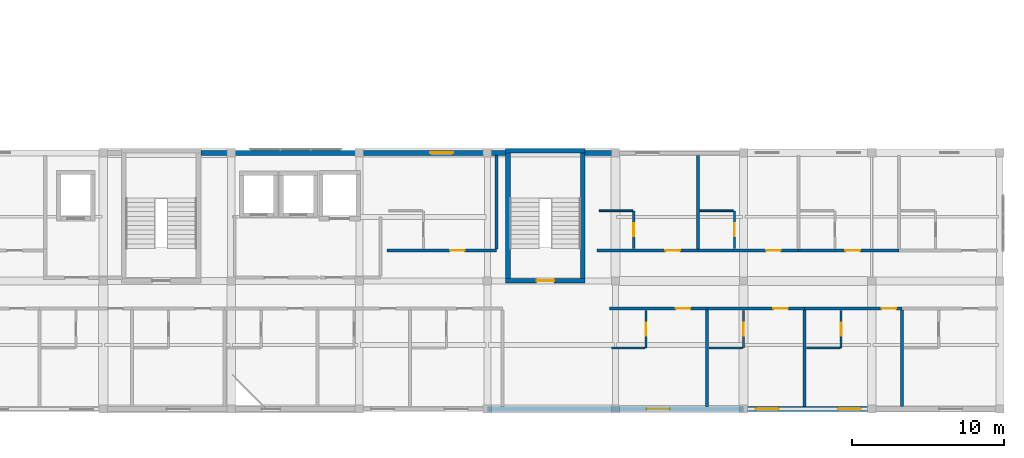
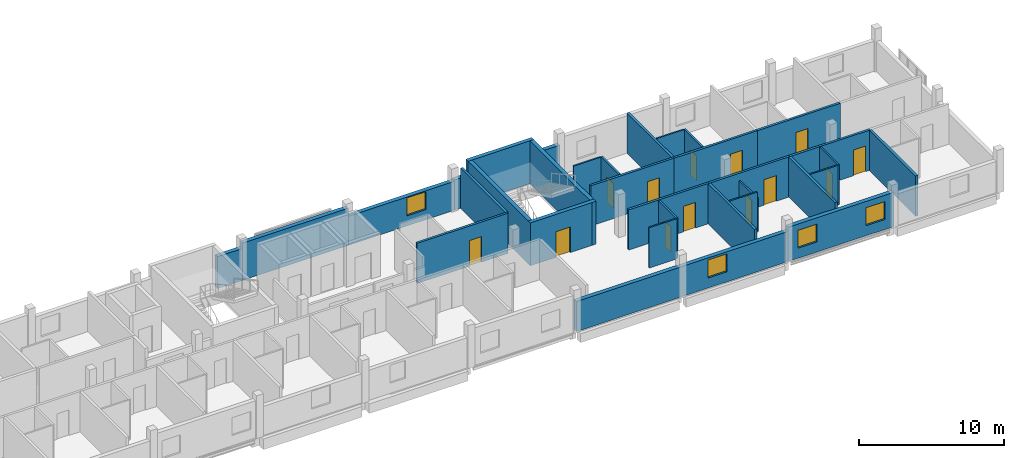
# One storey, part 16 of 20: 33 walls, 13 doors, 4 windows, 17 openings.
"""IFC4 building model written with IfcOpenShell, lengths in metres."""

import ifcopenshell
import ifcopenshell.guid

model = None  # the IFC model being written
_history = None  # IfcOwnerHistory: only IFC2X3 demands one
_inside = {}  # id of a spatial element -> (the spatial element, [elements in it])
_under = {}  # id of a project, library or spatial element -> (it, [spatial elements below it])
_declared = {}  # id of a project -> (the project, [libraries it declares])
_typed = {}  # id of a type object -> (the type object, [elements of that type])
_made_of = {}  # id of a material, layer set ... -> (it, [elements and type objects made of it])


def new_model(schema):
    """Start an empty IFC model of exactly this schema.

    Asked for "IFC4X3", IfcOpenShell would pick the latest addendum, in which some entities
    have other attributes; the version numbers below select the first issue.
    IFC2X3 requires an IfcOwnerHistory on every rooted entity: one is made here for all.
    """
    global model, _history
    if schema == "IFC4X3":
        model = ifcopenshell.file(schema_version=(4, 3, 0, 0))
    else:
        model = ifcopenshell.file(schema=schema)
    _inside.clear()
    _under.clear()
    _declared.clear()
    _typed.clear()
    _made_of.clear()
    _history = None
    if model.schema == "IFC2X3":
        org = make("IfcOrganization", Name="unknown")
        user = make(
            "IfcPersonAndOrganization",
            ThePerson=make("IfcPerson", FamilyName="unknown"),
            TheOrganization=org,
        )
        app = make(
            "IfcApplication",
            ApplicationDeveloper=org,
            Version="unknown",
            ApplicationFullName="unknown",
            ApplicationIdentifier="unknown",
        )
        _history = make(
            "IfcOwnerHistory",
            OwningUser=user,
            OwningApplication=app,
            ChangeAction="ADDED",
            CreationDate=0,
        )
    return model


def make(cls, **values):
    """One entity of the class cls with the attributes given. An attribute that is None is left unset."""
    return model.create_entity(
        cls, **{name: value for name, value in values.items() if value is not None}
    )


def rooted(cls, **values):
    """An entity with a GlobalId (a new one), such as an element, a storey or a relation."""
    return make(cls, GlobalId=ifcopenshell.guid.new(), OwnerHistory=_history, **values)


def si_unit(unit_type, name, prefix=None):
    """IfcSIUnit, for example si_unit("LENGTHUNIT", "METRE", prefix="MILLI")."""
    return make("IfcSIUnit", UnitType=unit_type, Prefix=prefix, Name=name)


def derived_unit(unit_type, elements):
    """IfcDerivedUnit: a product of units, each with its exponent."""
    return make(
        "IfcDerivedUnit",
        Elements=[
            make("IfcDerivedUnitElement", Unit=unit, Exponent=power)
            for unit, power in elements
        ],
        UnitType=unit_type,
    )


def assignment(units):
    """IfcUnitAssignment: the units of a project."""
    return None if units is None else make("IfcUnitAssignment", Units=units)


def point(xyz):
    """IfcCartesianPoint."""
    return None if xyz is None else make("IfcCartesianPoint", Coordinates=xyz)


def direction(xyz):
    """IfcDirection."""
    return None if xyz is None else make("IfcDirection", DirectionRatios=xyz)


def frame(location, z_axis=None, x_axis=None):
    """IfcAxis2Placement3D, a coordinate frame: its origin and axes. An axis left out is left unset."""
    return make(
        "IfcAxis2Placement3D",
        Location=point(location),
        Axis=direction(z_axis),
        RefDirection=direction(x_axis),
    )


def frame_2d(location, x_axis=None):
    """IfcAxis2Placement2D, a coordinate frame in the plane: its origin and x axis."""
    return make(
        "IfcAxis2Placement2D", Location=point(location), RefDirection=direction(x_axis)
    )


def origin():
    """The frame at (0, 0, 0) with its axes left unset."""
    return frame((0.0, 0.0, 0.0))


def place(relative_to, where):
    """IfcLocalPlacement: puts the frame where relative to a parent placement (None: the world)."""
    return make(
        "IfcLocalPlacement", PlacementRelTo=relative_to, RelativePlacement=where
    )


def context(
    kind, dimensions, precision=None, world=None, true_north=None, identifier=None
):
    """IfcGeometricRepresentationContext, for example the 3D "Model" context."""
    return make(
        "IfcGeometricRepresentationContext",
        ContextIdentifier=identifier,
        ContextType=kind,
        CoordinateSpaceDimension=dimensions,
        Precision=precision,
        WorldCoordinateSystem=world,
        TrueNorth=true_north,
    )


def subcontext(parent, identifier, kind, view, scale=None):
    """IfcGeometricRepresentationSubContext, for example "Body" below "Model"."""
    return make(
        "IfcGeometricRepresentationSubContext",
        ContextIdentifier=identifier,
        ContextType=kind,
        ParentContext=parent,
        TargetScale=scale,
        TargetView=view,
    )


def project(units=None, contexts=None):
    """IfcProject with its units and contexts."""
    return rooted(
        "IfcProject",
        Name="project",
        RepresentationContexts=contexts,
        UnitsInContext=assignment(units),
    )


def spatial(cls, under=None, at=None, **own):
    """A site, building, storey or space (cls), placed at a placement, below another one or the project."""
    s = rooted(cls, ObjectPlacement=at, **own)
    if under is not None:
        _under.setdefault(under.id(), (under, []))[1].append(s)
    return s


def profile(cls, at=None, kind="AREA", **sizes):
    """A parametric profile (cls). Its sizes go by their IFC names, for example OverallWidth=200.0."""
    return make(cls, ProfileType=kind, Position=at, **sizes)


def rectangle(**sizes):
    """IfcRectangleProfileDef."""
    return profile("IfcRectangleProfileDef", **sizes)


def extrude(swept, where, along, depth):
    """IfcExtrudedAreaSolid: the profile swept, set in the frame where, extruded along a direction by depth."""
    return make(
        "IfcExtrudedAreaSolid",
        SweptArea=swept,
        Position=where,
        ExtrudedDirection=direction(along),
        Depth=depth,
    )


def shape(context_of_items, identifier, shape_type, items):
    """IfcShapeRepresentation: the items that make up one representation, for example the "Body"."""
    return make(
        "IfcShapeRepresentation",
        ContextOfItems=context_of_items,
        RepresentationIdentifier=identifier,
        RepresentationType=shape_type,
        Items=items,
    )


def material(Name=None, Category=None):
    """IfcMaterial."""
    return make("IfcMaterial", Name=Name, Category=Category)


def layer(
    of_material, thickness, ventilated=None, Name=None, Category=None, Priority=None
):
    """IfcMaterialLayer: one layer of a wall or slab, of a material (None: an air gap)."""
    return make(
        "IfcMaterialLayer",
        Material=of_material,
        LayerThickness=thickness,
        IsVentilated=ventilated,
        Name=Name,
        Category=Category,
        Priority=Priority,
    )


def layer_set(layers, Name=None):
    """IfcMaterialLayerSet."""
    return make("IfcMaterialLayerSet", MaterialLayers=layers, LayerSetName=Name)


def made_of(thing, what):
    """Note that an element or type object is made of a material, layer set ...; save() writes the relation."""
    if what is not None:
        _made_of.setdefault(what.id(), (what, []))[1].append(thing)
    return thing


def type_object(cls, material=None, **own):
    """A type object (cls), such as IfcWallType, which elements share."""
    return made_of(rooted(cls, **own), material)


def element(
    cls,
    number,
    at=None,
    inside=None,
    cuts=None,
    type_object=None,
    material=None,
    context=None,
    identifier="Body",
    shape_type=None,
    held_by="IfcProductDefinitionShape",
    body=None,
    shapes=None,
    **own,
):
    """One element of the class cls, such as IfcWall. Its Tag is "e" and its number.

    at: its placement. inside: the storey or other place that contains it. cuts: it is an
    opening in that element (IfcRelVoidsElement). A single representation is given by context,
    identifier, shape_type and body (its items); several are given by shapes. held_by: the class
    of the entity that holds the representations. save() writes the other relations.
    """
    e = rooted(cls, Tag="e%d" % number, ObjectPlacement=at, **own)
    if body is not None:
        shapes = [shape(context, identifier, shape_type, body)]
    if shapes is not None:
        e.Representation = make(held_by, Representations=shapes)
    if inside is not None:
        _inside.setdefault(inside.id(), (inside, []))[1].append(e)
    if cuts is not None:
        rooted(
            "IfcRelVoidsElement", RelatingBuildingElement=cuts, RelatedOpeningElement=e
        )
    if type_object is not None:
        _typed.setdefault(type_object.id(), (type_object, []))[1].append(e)
    return made_of(e, material)


def fill(opening, filler):
    """IfcRelFillsElement: the door or window that sits in an opening."""
    return rooted(
        "IfcRelFillsElement",
        RelatingOpeningElement=opening,
        RelatedBuildingElement=filler,
    )


def aggregate(whole, parts):
    """IfcRelAggregates: a whole, such as a stair, and the parts it consists of."""
    return rooted("IfcRelAggregates", RelatingObject=whole, RelatedObjects=parts)


def save(model, path):
    """Write the relations noted so far, then the file.

    IfcRelAggregates (storeys below a building ...), IfcRelContainedInSpatialStructure (elements
    in a storey), IfcRelDefinesByType, IfcRelAssociatesMaterial and IfcRelDeclares: one each for
    every whole, place, type object, material and project.
    """
    for whole, parts in _under.values():
        aggregate(whole, parts)
    for where, things in _inside.values():
        rooted(
            "IfcRelContainedInSpatialStructure",
            RelatedElements=things,
            RelatingStructure=where,
        )
    for kind, things in _typed.values():
        rooted("IfcRelDefinesByType", RelatedObjects=things, RelatingType=kind)
    for what, things in _made_of.values():
        rooted("IfcRelAssociatesMaterial", RelatedObjects=things, RelatingMaterial=what)
    for by, libraries in _declared.values():
        rooted("IfcRelDeclares", RelatingContext=by, RelatedDefinitions=libraries)
    model.write(path)


model = new_model("IFC4")

# Units and contexts
model_context = context("Model", 3, precision=1e-05, world=origin(), true_north=direction((0.0, 1.0)))
body_context = subcontext(model_context, "Body", "Model", "MODEL_VIEW")
ifc_project = project(units=[si_unit("LENGTHUNIT", "METRE"), si_unit("AREAUNIT", "SQUARE_METRE"), si_unit("VOLUMEUNIT", "CUBIC_METRE"), si_unit("PLANEANGLEUNIT", "RADIAN"), si_unit("MASSUNIT", "GRAM", prefix="KILO"), derived_unit("THERMALTRANSMITTANCEUNIT", [(si_unit("POWERUNIT", "WATT"), 1), (si_unit("LENGTHUNIT", "METRE"), -2), (si_unit("THERMODYNAMICTEMPERATUREUNIT", "KELVIN"), -1)])], contexts=[model_context])

# Site, building, storey
site_placement = place(None, origin())
site = spatial("IfcSite", under=ifc_project, at=site_placement, CompositionType="ELEMENT")
building_placement = place(site_placement, origin())
building = spatial("IfcBuilding", under=site, at=building_placement, Name="Barrovel Congress Hotel", CompositionType="ELEMENT")
storey_placement = place(building_placement, frame((0.0, 0.0, 36.300048828125)))
storey = spatial("IfcBuildingStorey", under=building, at=storey_placement, Name="L09", CompositionType="ELEMENT", Elevation=36.300048828125)

# Wall, opening, window
ifc_material_1 = material(Name="Fired Clay Brick Masonry", Category="masonry")
ifc_layer_1 = layer(ifc_material_1, 0.320068359375)
ifc_layer_set_1 = layer_set([ifc_layer_1], Name="Fired Clay Brick Masonry")
wall_type_1 = type_object("IfcWallType", Name="EW-BRK320", PredefinedType="STANDARD", material=ifc_layer_set_1)
wall_1_placement = place(storey_placement, frame((100.800048828125, 4.199951171875, 0.0), z_axis=(0.0, 0.0, 1.0), x_axis=(1.0, 0.0, 0.0)))
wall_1 = element("IfcWall", 1, at=wall_1_placement, inside=storey, type_object=wall_type_1, Name="EW:L09:HS-S", PredefinedType="STANDARD", context=body_context, shape_type="SweptSolid", body=[
    extrude(rectangle(XDim=16.800048828125, YDim=0.320068359375, at=frame_2d((8.39990234375, 0.0))), origin(), (0.0, 0.0, 1.0), 2.530029296875),
])
opening_1_placement = place(wall_1_placement, frame((10.449951171875, 0.0, 0.85009765625)))
opening_1 = element("IfcOpeningElement", 2, at=opening_1_placement, cuts=wall_1, Name="Opening WN-07", PredefinedType="OPENING", context=body_context, shape_type="SweptSolid", body=[
    extrude(rectangle(XDim=1.5, YDim=1.5, at=frame_2d((0.75, 0.75))), frame((0.0, 0.169921875, 0.0), z_axis=(0.0, -1.0, 0.0), x_axis=(1.0, 0.0, 0.0)), (0.0, 0.0, 1.0), 0.340087890625),
])
ifc_material_2 = material(Name="Double Low-E Insulated Glazing", Category="glass")
window_type = type_object("IfcWindowType", Name="WIN-WN-07", PartitioningType="SINGLE_PANEL", PredefinedType="WINDOW", material=ifc_material_2)
window_1_placement = place(opening_1_placement, origin())
window_1 = element("IfcWindow", 3, at=window_1_placement, inside=storey, type_object=window_type, Name="WIN:L09:U15", OverallHeight=1.5, OverallWidth=1.5, PartitioningType="SINGLE_PANEL", PredefinedType="WINDOW", context=body_context, shape_type="SweptSolid", body=[
    extrude(rectangle(XDim=1.5, YDim=1.5, at=frame_2d((0.75, 0.75))), frame((0.0, 0.030029296875, 0.0), z_axis=(0.0, -1.0, 0.0), x_axis=(1.0, 0.0, 0.0)), (0.0, 0.0, 1.0), 0.06005859375),
])
fill(opening_1, window_1)

# Wall
wall_2_placement = place(storey_placement, frame((92.39990234375, 21.0, 0.0), z_axis=(0.0, 0.0, 1.0), x_axis=(-1.0, 0.0, 0.0)))
element("IfcWall", 4, at=wall_2_placement, inside=storey, type_object=wall_type_1, Name="EW:L09:HS-NE-2", PredefinedType="STANDARD", context=body_context, shape_type="SweptSolid", body=[
    extrude(rectangle(XDim=8.39990234375, YDim=0.320068359375, at=frame_2d((4.199951171875, 0.0))), origin(), (0.0, 0.0, 1.0), 3.1259765625),
])

# Wall, openings, windows
wall_3_placement = place(storey_placement, frame((117.60009765625, 4.199951171875, 0.0), z_axis=(0.0, 0.0, 1.0), x_axis=(1.0, 0.0, 0.0)))
wall_3 = element("IfcWall", 5, at=wall_3_placement, inside=storey, type_object=wall_type_1, Name="EW:L09:HS-S:P10", PredefinedType="STANDARD", context=body_context, shape_type="SweptSolid", body=[
    extrude(rectangle(XDim=8.39990234375, YDim=0.320068359375, at=frame_2d((4.199951171875, 0.0))), origin(), (0.0, 0.0, 1.0), 2.8798828125),
])
opening_2_placement = place(wall_3_placement, frame((0.800048828125, 0.0, 0.85009765625)))
opening_2 = element("IfcOpeningElement", 6, at=opening_2_placement, cuts=wall_3, Name="Opening WN-07", PredefinedType="OPENING", context=body_context, shape_type="SweptSolid", body=[
    extrude(rectangle(XDim=1.5, YDim=1.5, at=frame_2d((0.75, 0.75))), frame((0.0, 0.169921875, 0.0), z_axis=(0.0, -1.0, 0.0), x_axis=(1.0, 0.0, 0.0)), (0.0, 0.0, 1.0), 0.340087890625),
])
opening_3_placement = place(wall_3_placement, frame((6.199951171875, 0.0, 0.85009765625)))
opening_3 = element("IfcOpeningElement", 7, at=opening_3_placement, cuts=wall_3, Name="Opening WN-07", PredefinedType="OPENING", context=body_context, shape_type="SweptSolid", body=[
    extrude(rectangle(XDim=1.5, YDim=1.5, at=frame_2d((0.75, 0.75))), frame((0.0, 0.169921875, 0.0), z_axis=(0.0, -1.0, 0.0), x_axis=(1.0, 0.0, 0.0)), (0.0, 0.0, 1.0), 0.340087890625),
])
window_2_placement = place(opening_2_placement, origin())
window_2 = element("IfcWindow", 8, at=window_2_placement, inside=storey, type_object=window_type, Name="WIN:L09:U16", OverallHeight=1.5, OverallWidth=1.5, PartitioningType="SINGLE_PANEL", PredefinedType="WINDOW", context=body_context, shape_type="SweptSolid", body=[
    extrude(rectangle(XDim=1.5, YDim=1.5, at=frame_2d((0.75, 0.75))), frame((0.0, 0.030029296875, 0.0), z_axis=(0.0, -1.0, 0.0), x_axis=(1.0, 0.0, 0.0)), (0.0, 0.0, 1.0), 0.06005859375),
])
fill(opening_2, window_2)
window_3_placement = place(opening_3_placement, origin())
window_3 = element("IfcWindow", 9, at=window_3_placement, inside=storey, type_object=window_type, Name="WIN:L09:U17", OverallHeight=1.5, OverallWidth=1.5, PartitioningType="SINGLE_PANEL", PredefinedType="WINDOW", context=body_context, shape_type="SweptSolid", body=[
    extrude(rectangle(XDim=1.5, YDim=1.5, at=frame_2d((0.75, 0.75))), frame((0.0, 0.030029296875, 0.0), z_axis=(0.0, -1.0, 0.0), x_axis=(1.0, 0.0, 0.0)), (0.0, 0.0, 1.0), 0.06005859375),
])
fill(opening_3, window_3)

# Walls
wall_4_placement = place(storey_placement, frame((109.199951171875, 21.0, 0.0), z_axis=(0.0, 0.0, 1.0), x_axis=(-1.0, 0.0, 0.0)))
element("IfcWall", 10, at=wall_4_placement, inside=storey, type_object=wall_type_1, Name="EW:L09:HS-NE-1:P03", PredefinedType="STANDARD", context=body_context, shape_type="SweptSolid", body=[
    extrude(rectangle(XDim=2.0, YDim=0.320068359375, at=frame_2d((1.0, 0.0))), origin(), (0.0, 0.0, 1.0), 2.530029296875),
])
wall_5_placement = place(storey_placement, frame((102.0, 21.0, 0.0), z_axis=(0.0, 0.0, 1.0), x_axis=(-1.0, 0.0, 0.0)))
element("IfcWall", 11, at=wall_5_placement, inside=storey, type_object=wall_type_1, Name="EW:L09:HS-NE-2:P01", PredefinedType="STANDARD", context=body_context, shape_type="SweptSolid", body=[
    extrude(rectangle(XDim=1.199951171875, YDim=0.320068359375, at=frame_2d((0.60009765625, 0.0))), origin(), (0.0, 0.0, 1.0), 2.530029296875),
])

# Wall, opening, window
wall_6_placement = place(storey_placement, frame((100.800048828125, 21.0, 0.0), z_axis=(0.0, 0.0, 1.0), x_axis=(-1.0, 0.0, 0.0)))
wall_6 = element("IfcWall", 12, at=wall_6_placement, inside=storey, type_object=wall_type_1, Name="EW:L09:HS-NE-2:P02", PredefinedType="STANDARD", context=body_context, shape_type="SweptSolid", body=[
    extrude(rectangle(XDim=8.400146484375, YDim=0.320068359375, at=frame_2d((4.2001953125, 0.0))), origin(), (0.0, 0.0, 1.0), 2.429931640625),
])
opening_4_placement = place(wall_6_placement, frame((2.25, 0.0, 0.85009765625)))
opening_4 = element("IfcOpeningElement", 13, at=opening_4_placement, cuts=wall_6, Name="Opening WN-07", PredefinedType="OPENING", context=body_context, shape_type="SweptSolid", body=[
    extrude(rectangle(XDim=1.5, YDim=1.5, at=frame_2d((0.75, 0.75))), frame((0.0, 0.169921875, 0.0), z_axis=(0.0, -1.0, 0.0), x_axis=(1.0, 0.0, 0.0)), (0.0, 0.0, 1.0), 0.340087890625),
])
window_4_placement = place(opening_4_placement, origin())
window_4 = element("IfcWindow", 14, at=window_4_placement, inside=storey, type_object=window_type, Name="WIN:L09:U20", OverallHeight=1.5, OverallWidth=1.5, PartitioningType="SINGLE_PANEL", PredefinedType="WINDOW", context=body_context, shape_type="SweptSolid", body=[
    extrude(rectangle(XDim=1.5, YDim=1.5, at=frame_2d((0.75, 0.75))), frame((0.0, 0.030029296875, 0.0), z_axis=(0.0, -1.0, 0.0), x_axis=(1.0, 0.0, 0.0)), (0.0, 0.0, 1.0), 0.06005859375),
])
fill(opening_4, window_4)

# Wall
wall_7_placement = place(storey_placement, frame((84.0, 21.0, 0.0), z_axis=(0.0, 0.0, 1.0), x_axis=(-1.0, 0.0, 0.0)))
element("IfcWall", 15, at=wall_7_placement, inside=storey, type_object=wall_type_1, Name="EW:L09:HS-NE-2:P04", PredefinedType="STANDARD", context=body_context, shape_type="SweptSolid", body=[
    extrude(rectangle(XDim=2.0, YDim=0.320068359375, at=frame_2d((1.0, 0.0))), origin(), (0.0, 0.0, 1.0), 2.679931640625),
])

# Wall, opening, door
ifc_material_3 = material(Name="Gypsum Acoustic Stud", Category="gypsum")
ifc_layer_2 = layer(ifc_material_3, 0.179931640625)
ifc_layer_set_2 = layer_set([ifc_layer_2], Name="Gypsum Acoustic Stud")
wall_type_2 = type_object("IfcWallType", Name="PW-ACU-180", PredefinedType="PARTITIONING", material=ifc_layer_set_2)
wall_8_placement = place(storey_placement, frame((108.800048828125, 10.800048828125, 0.0), z_axis=(0.0, 0.0, 1.0), x_axis=(1.0, 0.0, 0.0)))
wall_8 = element("IfcWall", 16, at=wall_8_placement, inside=storey, type_object=wall_type_2, Name="PW:L09:U15:COR", PredefinedType="PARTITIONING", context=body_context, shape_type="SweptSolid", body=[
    extrude(rectangle(XDim=6.39990234375, YDim=0.179931640625, at=frame_2d((3.199951171875, 0.0))), origin(), (0.0, 0.0, 1.0), 3.375),
])
opening_5_placement = place(wall_8_placement, frame((4.35498046875, 0.0, 0.0)))
opening_5 = element("IfcOpeningElement", 17, at=opening_5_placement, cuts=wall_8, Name="Opening ID-HTL", PredefinedType="OPENING", context=body_context, shape_type="SweptSolid", body=[
    extrude(rectangle(XDim=0.9599609375, YDim=2.14990234375, at=frame_2d((0.47998046875, 1.074951171875))), frame((0.0, 0.10009765625, 0.0), z_axis=(0.0, -1.0, 0.0), x_axis=(1.0, 0.0, 0.0)), (0.0, 0.0, 1.0), 0.199951171875),
])
ifc_material_4 = material(Name="Solid Oak Acoustic Timber Door", Category="wood")
door_type_1 = type_object("IfcDoorType", Name="IDR-ID-HTL", OperationType="NOTDEFINED", PredefinedType="DOOR", material=ifc_material_4)
door_1_placement = place(opening_5_placement, origin())
door_1 = element("IfcDoor", 18, at=door_1_placement, inside=storey, type_object=door_type_1, Name="DR:L09:U15:ENT", OperationType="SINGLE_SWING_RIGHT", OverallHeight=2.14990234375, OverallWidth=0.9599609375, PredefinedType="DOOR", context=body_context, shape_type="SweptSolid", body=[
    extrude(rectangle(XDim=0.9599609375, YDim=2.14990234375, at=frame_2d((0.47998046875, 1.074951171875))), frame((0.0, 0.02490234375, 0.0), z_axis=(0.0, -1.0, 0.0), x_axis=(1.0, 0.0, 0.0)), (0.0, 0.0, 1.0), 0.050048828125),
])
fill(opening_5, door_1)

wall_9_placement = place(storey_placement, frame((115.199951171875, 10.800048828125, 0.0), z_axis=(0.0, 0.0, 1.0), x_axis=(1.0, 0.0, 0.0)))
wall_9 = element("IfcWall", 19, at=wall_9_placement, inside=storey, type_object=wall_type_2, Name="PW:L09:U16:COR", PredefinedType="PARTITIONING", context=body_context, shape_type="SweptSolid", body=[
    extrude(rectangle(XDim=6.400146484375, YDim=0.179931640625, at=frame_2d((3.2001953125, 0.0))), origin(), (0.0, 0.0, 1.0), 3.375),
])
opening_6_placement = place(wall_9_placement, frame((4.35498046875, 0.0, 0.0)))
opening_6 = element("IfcOpeningElement", 20, at=opening_6_placement, cuts=wall_9, Name="Opening ID-HTL", PredefinedType="OPENING", context=body_context, shape_type="SweptSolid", body=[
    extrude(rectangle(XDim=0.9599609375, YDim=2.14990234375, at=frame_2d((0.47998046875, 1.074951171875))), frame((0.0, 0.10009765625, 0.0), z_axis=(0.0, -1.0, 0.0), x_axis=(1.0, 0.0, 0.0)), (0.0, 0.0, 1.0), 0.199951171875),
])
door_2_placement = place(opening_6_placement, origin())
door_2 = element("IfcDoor", 21, at=door_2_placement, inside=storey, type_object=door_type_1, Name="DR:L09:U16:ENT", OperationType="SINGLE_SWING_RIGHT", OverallHeight=2.14990234375, OverallWidth=0.9599609375, PredefinedType="DOOR", context=body_context, shape_type="SweptSolid", body=[
    extrude(rectangle(XDim=0.9599609375, YDim=2.14990234375, at=frame_2d((0.47998046875, 1.074951171875))), frame((0.0, 0.02490234375, 0.0), z_axis=(0.0, -1.0, 0.0), x_axis=(1.0, 0.0, 0.0)), (0.0, 0.0, 1.0), 0.050048828125),
])
fill(opening_6, door_2)

wall_10_placement = place(storey_placement, frame((121.60009765625, 10.800048828125, 0.0), z_axis=(0.0, 0.0, 1.0), x_axis=(1.0, 0.0, 0.0)))
wall_10 = element("IfcWall", 22, at=wall_10_placement, inside=storey, type_object=wall_type_2, Name="PW:L09:U17:COR", PredefinedType="PARTITIONING", context=body_context, shape_type="SweptSolid", body=[
    extrude(rectangle(XDim=6.39990234375, YDim=0.179931640625, at=frame_2d((3.199951171875, 0.0))), origin(), (0.0, 0.0, 1.0), 3.375),
])
opening_7_placement = place(wall_10_placement, frame((5.054931640625, 0.0, 0.0)))
opening_7 = element("IfcOpeningElement", 23, at=opening_7_placement, cuts=wall_10, Name="Opening ID-HTL", PredefinedType="OPENING", context=body_context, shape_type="SweptSolid", body=[
    extrude(rectangle(XDim=0.9599609375, YDim=2.14990234375, at=frame_2d((0.47998046875, 1.074951171875))), frame((0.0, 0.10009765625, 0.0), z_axis=(0.0, -1.0, 0.0), x_axis=(1.0, 0.0, 0.0)), (0.0, 0.0, 1.0), 0.199951171875),
])
door_3_placement = place(opening_7_placement, origin())
door_3 = element("IfcDoor", 24, at=door_3_placement, inside=storey, type_object=door_type_1, Name="DR:L09:U17:ENT", OperationType="SINGLE_SWING_RIGHT", OverallHeight=2.14990234375, OverallWidth=0.9599609375, PredefinedType="DOOR", context=body_context, shape_type="SweptSolid", body=[
    extrude(rectangle(XDim=0.9599609375, YDim=2.14990234375, at=frame_2d((0.47998046875, 1.074951171875))), frame((0.0, 0.02490234375, 0.0), z_axis=(0.0, -1.0, 0.0), x_axis=(1.0, 0.0, 0.0)), (0.0, 0.0, 1.0), 0.050048828125),
])
fill(opening_7, door_3)

wall_11_placement = place(storey_placement, frame((94.199951171875, 14.60009765625, 0.0), z_axis=(0.0, 0.0, 1.0), x_axis=(1.0, 0.0, 0.0)))
wall_11 = element("IfcWall", 25, at=wall_11_placement, inside=storey, type_object=wall_type_2, Name="PW:L09:U20:COR", PredefinedType="PARTITIONING", context=body_context, shape_type="SweptSolid", body=[
    extrude(rectangle(XDim=7.199951171875, YDim=0.179931640625, at=frame_2d((3.60009765625, 0.0))), origin(), (0.0, 0.0, 1.0), 3.375),
])
opening_8_placement = place(wall_11_placement, frame((4.15087890625, 0.0, 0.0)))
opening_8 = element("IfcOpeningElement", 26, at=opening_8_placement, cuts=wall_11, Name="Opening ID-HTL", PredefinedType="OPENING", context=body_context, shape_type="SweptSolid", body=[
    extrude(rectangle(XDim=0.9599609375, YDim=2.14990234375, at=frame_2d((0.47998046875, 1.074951171875))), frame((0.0, 0.10009765625, 0.0), z_axis=(0.0, -1.0, 0.0), x_axis=(1.0, 0.0, 0.0)), (0.0, 0.0, 1.0), 0.199951171875),
])
door_4_placement = place(opening_8_placement, origin())
door_4 = element("IfcDoor", 27, at=door_4_placement, inside=storey, type_object=door_type_1, Name="DR:L09:U20:ENT", OperationType="SINGLE_SWING_RIGHT", OverallHeight=2.14990234375, OverallWidth=0.9599609375, PredefinedType="DOOR", context=body_context, shape_type="SweptSolid", body=[
    extrude(rectangle(XDim=0.9599609375, YDim=2.14990234375, at=frame_2d((0.47998046875, 1.074951171875))), frame((0.0, 0.02490234375, 0.0), z_axis=(0.0, -1.0, 0.0), x_axis=(1.0, 0.0, 0.0)), (0.0, 0.0, 1.0), 0.050048828125),
])
fill(opening_8, door_4)

wall_12_placement = place(storey_placement, frame((108.0, 14.60009765625, 0.0), z_axis=(0.0, 0.0, 1.0), x_axis=(1.0, 0.0, 0.0)))
wall_12 = element("IfcWall", 28, at=wall_12_placement, inside=storey, type_object=wall_type_2, Name="PW:L09:U21:COR", PredefinedType="PARTITIONING", context=body_context, shape_type="SweptSolid", body=[
    extrude(rectangle(XDim=6.60009765625, YDim=0.179931640625, at=frame_2d((3.300048828125, 0.0))), origin(), (0.0, 0.0, 1.0), 3.375),
])
opening_9_placement = place(wall_12_placement, frame((4.47900390625, 0.0, 0.0)))
opening_9 = element("IfcOpeningElement", 29, at=opening_9_placement, cuts=wall_12, Name="Opening ID-HTL", PredefinedType="OPENING", context=body_context, shape_type="SweptSolid", body=[
    extrude(rectangle(XDim=0.9599609375, YDim=2.14990234375, at=frame_2d((0.47998046875, 1.074951171875))), frame((0.0, 0.10009765625, 0.0), z_axis=(0.0, -1.0, 0.0), x_axis=(1.0, 0.0, 0.0)), (0.0, 0.0, 1.0), 0.199951171875),
])
door_5_placement = place(opening_9_placement, origin())
door_5 = element("IfcDoor", 30, at=door_5_placement, inside=storey, type_object=door_type_1, Name="DR:L09:U21:ENT", OperationType="SINGLE_SWING_RIGHT", OverallHeight=2.14990234375, OverallWidth=0.9599609375, PredefinedType="DOOR", context=body_context, shape_type="SweptSolid", body=[
    extrude(rectangle(XDim=0.9599609375, YDim=2.14990234375, at=frame_2d((0.47998046875, 1.074951171875))), frame((0.0, 0.02490234375, 0.0), z_axis=(0.0, -1.0, 0.0), x_axis=(1.0, 0.0, 0.0)), (0.0, 0.0, 1.0), 0.050048828125),
])
fill(opening_9, door_5)

wall_13_placement = place(storey_placement, frame((114.60009765625, 14.60009765625, 0.0), z_axis=(0.0, 0.0, 1.0), x_axis=(1.0, 0.0, 0.0)))
wall_13 = element("IfcWall", 31, at=wall_13_placement, inside=storey, type_object=wall_type_2, Name="PW:L09:U22:COR", PredefinedType="PARTITIONING", context=body_context, shape_type="SweptSolid", body=[
    extrude(rectangle(XDim=6.599853515625, YDim=0.179931640625, at=frame_2d((3.2998046875, 0.0))), origin(), (0.0, 0.0, 1.0), 3.375),
])
opening_10_placement = place(wall_13_placement, frame((4.47900390625, 0.0, 0.0)))
opening_10 = element("IfcOpeningElement", 32, at=opening_10_placement, cuts=wall_13, Name="Opening ID-HTL", PredefinedType="OPENING", context=body_context, shape_type="SweptSolid", body=[
    extrude(rectangle(XDim=0.9599609375, YDim=2.14990234375, at=frame_2d((0.47998046875, 1.074951171875))), frame((0.0, 0.10009765625, 0.0), z_axis=(0.0, -1.0, 0.0), x_axis=(1.0, 0.0, 0.0)), (0.0, 0.0, 1.0), 0.199951171875),
])
door_6_placement = place(opening_10_placement, origin())
door_6 = element("IfcDoor", 33, at=door_6_placement, inside=storey, type_object=door_type_1, Name="DR:L09:U22:ENT", OperationType="SINGLE_SWING_RIGHT", OverallHeight=2.14990234375, OverallWidth=0.9599609375, PredefinedType="DOOR", context=body_context, shape_type="SweptSolid", body=[
    extrude(rectangle(XDim=0.9599609375, YDim=2.14990234375, at=frame_2d((0.47998046875, 1.074951171875))), frame((0.0, 0.02490234375, 0.0), z_axis=(0.0, -1.0, 0.0), x_axis=(1.0, 0.0, 0.0)), (0.0, 0.0, 1.0), 0.050048828125),
])
fill(opening_10, door_6)

wall_14_placement = place(storey_placement, frame((121.199951171875, 14.60009765625, 0.0), z_axis=(0.0, 0.0, 1.0), x_axis=(1.0, 0.0, 0.0)))
wall_14 = element("IfcWall", 34, at=wall_14_placement, inside=storey, type_object=wall_type_2, Name="PW:L09:U23:COR", PredefinedType="PARTITIONING", context=body_context, shape_type="SweptSolid", body=[
    extrude(rectangle(XDim=6.60009765625, YDim=0.179931640625, at=frame_2d((3.300048828125, 0.0))), origin(), (0.0, 0.0, 1.0), 3.375),
])
opening_11_placement = place(wall_14_placement, frame((3.0791015625, 0.0, 0.0)))
opening_11 = element("IfcOpeningElement", 35, at=opening_11_placement, cuts=wall_14, Name="Opening ID-HTL", PredefinedType="OPENING", context=body_context, shape_type="SweptSolid", body=[
    extrude(rectangle(XDim=0.9599609375, YDim=2.14990234375, at=frame_2d((0.47998046875, 1.074951171875))), frame((0.0, 0.10009765625, 0.0), z_axis=(0.0, -1.0, 0.0), x_axis=(1.0, 0.0, 0.0)), (0.0, 0.0, 1.0), 0.199951171875),
])
door_7_placement = place(opening_11_placement, origin())
door_7 = element("IfcDoor", 36, at=door_7_placement, inside=storey, type_object=door_type_1, Name="DR:L09:U23:ENT", OperationType="SINGLE_SWING_RIGHT", OverallHeight=2.14990234375, OverallWidth=0.9599609375, PredefinedType="DOOR", context=body_context, shape_type="SweptSolid", body=[
    extrude(rectangle(XDim=0.9599609375, YDim=2.14990234375, at=frame_2d((0.47998046875, 1.074951171875))), frame((0.0, 0.02490234375, 0.0), z_axis=(0.0, -1.0, 0.0), x_axis=(1.0, 0.0, 0.0)), (0.0, 0.0, 1.0), 0.050048828125),
])
fill(opening_11, door_7)

# Walls
ifc_layer_3 = layer(ifc_material_3, 0.1201171875)
ifc_layer_set_3 = layer_set([ifc_layer_3], Name="Gypsum Acoustic Stud")
wall_type_3 = type_object("IfcWallType", Name="PW-INT-120", PredefinedType="PARTITIONING", material=ifc_layer_set_3)
for number, where, z_axis, x_axis, name in (
    (37, (108.93994140625, 8.199951171875, 0.0), (0.0, 0.0, 1.0), (1.0, 0.0, 0.0), "PW:L09:U15:B2"),
    (38, (115.340087890625, 8.199951171875, 0.0), (0.0, 0.0, 1.0), (1.0, 0.0, 0.0), "PW:L09:U16:B2"),
    (39, (121.739990234375, 8.199951171875, 0.0), (0.0, 0.0, 1.0), (1.0, 0.0, 0.0), "PW:L09:U17:B2"),
):
    element("IfcWall", number, at=place(storey_placement, frame(where, z_axis=z_axis, x_axis=x_axis)), inside=storey, type_object=wall_type_3, Name=name, PredefinedType="PARTITIONING", context=body_context, shape_type="SweptSolid", body=[
        extrude(rectangle(XDim=2.18994140625, YDim=0.1201171875, at=frame_2d((1.094970703125, 0.0))), origin(), (0.0, 0.0, 1.0), 3.375),
    ])
wall_15_placement = place(storey_placement, frame((108.139892578125, 17.199951171875, 0.0), z_axis=(0.0, 0.0, 1.0), x_axis=(1.0, 0.0, 0.0)))
element("IfcWall", 40, at=wall_15_placement, inside=storey, type_object=wall_type_3, Name="PW:L09:U21:B2", PredefinedType="PARTITIONING", context=body_context, shape_type="SweptSolid", body=[
    extrude(rectangle(XDim=2.190185546875, YDim=0.1201171875, at=frame_2d((1.09521484375, 0.0))), origin(), (0.0, 0.0, 1.0), 3.375),
])
wall_16_placement = place(storey_placement, frame((114.739990234375, 17.199951171875, 0.0), z_axis=(0.0, 0.0, 1.0), x_axis=(1.0, 0.0, 0.0)))
element("IfcWall", 41, at=wall_16_placement, inside=storey, type_object=wall_type_3, Name="PW:L09:U22:B2", PredefinedType="PARTITIONING", context=body_context, shape_type="SweptSolid", body=[
    extrude(rectangle(XDim=2.18994140625, YDim=0.1201171875, at=frame_2d((1.094970703125, 0.0))), origin(), (0.0, 0.0, 1.0), 3.375),
])
ifc_layer_4 = layer(ifc_material_1, 0.199951171875)
ifc_layer_set_4 = layer_set([ifc_layer_4], Name="Fired Clay Brick Masonry")
wall_type_4 = type_object("IfcWallType", Name="PW-MAS-200", PredefinedType="PARTITIONING", material=ifc_layer_set_4)
for number, where, z_axis, x_axis, name in (
    (42, (115.199951171875, 4.360107421875, 0.0), (0.0, 0.0, 1.0), (0.0, 1.0, 0.0), "PW:L09:U15:DEM"),
    (43, (121.60009765625, 4.360107421875, 0.0), (0.0, 0.0, 1.0), (0.0, 1.0, 0.0), "PW:L09:U16:DEM"),
    (44, (128.0, 4.360107421875, 0.0), (0.0, 0.0, 1.0), (0.0, 1.0, 0.0), "PW:L09:U17:DEM"),
):
    element("IfcWall", number, at=place(storey_placement, frame(where, z_axis=z_axis, x_axis=x_axis)), inside=storey, type_object=wall_type_4, Name=name, PredefinedType="PARTITIONING", context=body_context, shape_type="SweptSolid", body=[
        extrude(rectangle(XDim=6.349853515625, YDim=0.199951171875, at=frame_2d((3.1748046875, 0.0))), origin(), (0.0, 0.0, 1.0), 3.375),
    ])
for number, where, z_axis, x_axis, name in (
    (45, (101.39990234375, 14.68994140625, 0.0), (0.0, 0.0, 1.0), (0.0, 1.0, 0.0), "PW:L09:U20:DEM"),
    (46, (114.60009765625, 14.68994140625, 0.0), (0.0, 0.0, 1.0), (0.0, 1.0, 0.0), "PW:L09:U21:DEM"),
):
    element("IfcWall", number, at=place(storey_placement, frame(where, z_axis=z_axis, x_axis=x_axis)), inside=storey, type_object=wall_type_4, Name=name, PredefinedType="PARTITIONING", context=body_context, shape_type="SweptSolid", body=[
        extrude(rectangle(XDim=6.150146484375, YDim=0.199951171875, at=frame_2d((3.0751953125, 0.0))), origin(), (0.0, 0.0, 1.0), 3.375),
    ])

# Wall, opening, door
ifc_material_5 = material(Name="Gypsum Moisture Board", Category="gypsum")
ifc_layer_5 = layer(ifc_material_5, 0.139892578125)
ifc_layer_set_5 = layer_set([ifc_layer_5], Name="Gypsum Moisture Board")
wall_type_5 = type_object("IfcWallType", Name="PW-WET-140", PredefinedType="PARTITIONING", material=ifc_layer_set_5)
wall_17_placement = place(storey_placement, frame((111.199951171875, 8.199951171875, 0.0), z_axis=(0.0, 0.0, 1.0), x_axis=(0.0, 1.0, 0.0)))
wall_17 = element("IfcWall", 47, at=wall_17_placement, inside=storey, type_object=wall_type_5, Name="PW:L09:U15:B1", PredefinedType="PARTITIONING", context=body_context, shape_type="SweptSolid", body=[
    extrude(rectangle(XDim=2.4599609375, YDim=0.139892578125, at=frame_2d((1.22998046875, 0.0))), origin(), (0.0, 0.0, 1.0), 3.375),
])
opening_12_placement = place(wall_17_placement, frame((0.800048828125, 0.0, 0.0)))
opening_12 = element("IfcOpeningElement", 48, at=opening_12_placement, cuts=wall_17, Name="Opening ID-ENS", PredefinedType="OPENING", context=body_context, shape_type="SweptSolid", body=[
    extrude(rectangle(XDim=0.860107421875, YDim=2.10009765625, at=frame_2d((0.43017578125, 1.050048828125))), frame((0.0, 0.080078125, 0.0), z_axis=(0.0, -1.0, 0.0), x_axis=(1.0, 0.0, 0.0)), (0.0, 0.0, 1.0), 0.159912109375),
])
ifc_material_6 = material(Name="Lacquered Timber Moisture Door", Category="wood")
door_type_2 = type_object("IfcDoorType", Name="IDR-ID-ENS", OperationType="NOTDEFINED", PredefinedType="DOOR", material=ifc_material_6)
door_8_placement = place(opening_12_placement, origin())
door_8 = element("IfcDoor", 49, at=door_8_placement, inside=storey, type_object=door_type_2, Name="DR:L09:U15:ENS", OperationType="SINGLE_SWING_LEFT", OverallHeight=2.10009765625, OverallWidth=0.860107421875, PredefinedType="DOOR", context=body_context, shape_type="SweptSolid", body=[
    extrude(rectangle(XDim=0.860107421875, YDim=2.10009765625, at=frame_2d((0.43017578125, 1.050048828125))), frame((0.0, 0.02490234375, 0.0), z_axis=(0.0, -1.0, 0.0), x_axis=(1.0, 0.0, 0.0)), (0.0, 0.0, 1.0), 0.050048828125),
])
fill(opening_12, door_8)

wall_18_placement = place(storey_placement, frame((117.60009765625, 8.199951171875, 0.0), z_axis=(0.0, 0.0, 1.0), x_axis=(0.0, 1.0, 0.0)))
wall_18 = element("IfcWall", 50, at=wall_18_placement, inside=storey, type_object=wall_type_5, Name="PW:L09:U16:B1", PredefinedType="PARTITIONING", context=body_context, shape_type="SweptSolid", body=[
    extrude(rectangle(XDim=2.4599609375, YDim=0.139892578125, at=frame_2d((1.22998046875, 0.0))), origin(), (0.0, 0.0, 1.0), 2.780029296875),
])
opening_13_placement = place(wall_18_placement, frame((0.800048828125, 0.0, 0.0)))
opening_13 = element("IfcOpeningElement", 51, at=opening_13_placement, cuts=wall_18, Name="Opening ID-ENS", PredefinedType="OPENING", context=body_context, shape_type="SweptSolid", body=[
    extrude(rectangle(XDim=0.860107421875, YDim=2.10009765625, at=frame_2d((0.43017578125, 1.050048828125))), frame((0.0, 0.080078125, 0.0), z_axis=(0.0, -1.0, 0.0), x_axis=(1.0, 0.0, 0.0)), (0.0, 0.0, 1.0), 0.159912109375),
])
door_9_placement = place(opening_13_placement, origin())
door_9 = element("IfcDoor", 52, at=door_9_placement, inside=storey, type_object=door_type_2, Name="DR:L09:U16:ENS", OperationType="SINGLE_SWING_LEFT", OverallHeight=2.10009765625, OverallWidth=0.860107421875, PredefinedType="DOOR", context=body_context, shape_type="SweptSolid", body=[
    extrude(rectangle(XDim=0.860107421875, YDim=2.10009765625, at=frame_2d((0.43017578125, 1.050048828125))), frame((0.0, 0.02490234375, 0.0), z_axis=(0.0, -1.0, 0.0), x_axis=(1.0, 0.0, 0.0)), (0.0, 0.0, 1.0), 0.050048828125),
])
fill(opening_13, door_9)

wall_19_placement = place(storey_placement, frame((124.0, 8.199951171875, 0.0), z_axis=(0.0, 0.0, 1.0), x_axis=(0.0, 1.0, 0.0)))
wall_19 = element("IfcWall", 53, at=wall_19_placement, inside=storey, type_object=wall_type_5, Name="PW:L09:U17:B1", PredefinedType="PARTITIONING", context=body_context, shape_type="SweptSolid", body=[
    extrude(rectangle(XDim=2.4599609375, YDim=0.139892578125, at=frame_2d((1.22998046875, 0.0))), origin(), (0.0, 0.0, 1.0), 3.375),
])
opening_14_placement = place(wall_19_placement, frame((0.800048828125, 0.0, 0.0)))
opening_14 = element("IfcOpeningElement", 54, at=opening_14_placement, cuts=wall_19, Name="Opening ID-ENS", PredefinedType="OPENING", context=body_context, shape_type="SweptSolid", body=[
    extrude(rectangle(XDim=0.860107421875, YDim=2.10009765625, at=frame_2d((0.43017578125, 1.050048828125))), frame((0.0, 0.080078125, 0.0), z_axis=(0.0, -1.0, 0.0), x_axis=(1.0, 0.0, 0.0)), (0.0, 0.0, 1.0), 0.159912109375),
])
door_10_placement = place(opening_14_placement, origin())
door_10 = element("IfcDoor", 55, at=door_10_placement, inside=storey, type_object=door_type_2, Name="DR:L09:U17:ENS", OperationType="SINGLE_SWING_LEFT", OverallHeight=2.10009765625, OverallWidth=0.860107421875, PredefinedType="DOOR", context=body_context, shape_type="SweptSolid", body=[
    extrude(rectangle(XDim=0.860107421875, YDim=2.10009765625, at=frame_2d((0.43017578125, 1.050048828125))), frame((0.0, 0.02490234375, 0.0), z_axis=(0.0, -1.0, 0.0), x_axis=(1.0, 0.0, 0.0)), (0.0, 0.0, 1.0), 0.050048828125),
])
fill(opening_14, door_10)

wall_20_placement = place(storey_placement, frame((110.39990234375, 14.739990234375, 0.0), z_axis=(0.0, 0.0, 1.0), x_axis=(0.0, 1.0, 0.0)))
wall_20 = element("IfcWall", 56, at=wall_20_placement, inside=storey, type_object=wall_type_5, Name="PW:L09:U21:B1", PredefinedType="PARTITIONING", context=body_context, shape_type="SweptSolid", body=[
    extrude(rectangle(XDim=2.4599609375, YDim=0.139892578125, at=frame_2d((1.22998046875, 0.0))), origin(), (0.0, 0.0, 1.0), 3.375),
])
opening_15_placement = place(wall_20_placement, frame((0.800048828125, 0.0, 0.0)))
opening_15 = element("IfcOpeningElement", 57, at=opening_15_placement, cuts=wall_20, Name="Opening ID-ENS", PredefinedType="OPENING", context=body_context, shape_type="SweptSolid", body=[
    extrude(rectangle(XDim=0.860107421875, YDim=2.10009765625, at=frame_2d((0.43017578125, 1.050048828125))), frame((0.0, 0.080078125, 0.0), z_axis=(0.0, -1.0, 0.0), x_axis=(1.0, 0.0, 0.0)), (0.0, 0.0, 1.0), 0.159912109375),
])
door_11_placement = place(opening_15_placement, origin())
door_11 = element("IfcDoor", 58, at=door_11_placement, inside=storey, type_object=door_type_2, Name="DR:L09:U21:ENS", OperationType="SINGLE_SWING_LEFT", OverallHeight=2.10009765625, OverallWidth=0.860107421875, PredefinedType="DOOR", context=body_context, shape_type="SweptSolid", body=[
    extrude(rectangle(XDim=0.860107421875, YDim=2.10009765625, at=frame_2d((0.43017578125, 1.050048828125))), frame((0.0, 0.02490234375, 0.0), z_axis=(0.0, -1.0, 0.0), x_axis=(1.0, 0.0, 0.0)), (0.0, 0.0, 1.0), 0.050048828125),
])
fill(opening_15, door_11)

wall_21_placement = place(storey_placement, frame((117.0, 14.739990234375, 0.0), z_axis=(0.0, 0.0, 1.0), x_axis=(0.0, 1.0, 0.0)))
wall_21 = element("IfcWall", 59, at=wall_21_placement, inside=storey, type_object=wall_type_5, Name="PW:L09:U22:B1", PredefinedType="PARTITIONING", context=body_context, shape_type="SweptSolid", body=[
    extrude(rectangle(XDim=2.4599609375, YDim=0.139892578125, at=frame_2d((1.22998046875, 0.0))), origin(), (0.0, 0.0, 1.0), 3.375),
])
opening_16_placement = place(wall_21_placement, frame((0.800048828125, 0.0, 0.0)))
opening_16 = element("IfcOpeningElement", 60, at=opening_16_placement, cuts=wall_21, Name="Opening ID-ENS", PredefinedType="OPENING", context=body_context, shape_type="SweptSolid", body=[
    extrude(rectangle(XDim=0.860107421875, YDim=2.10009765625, at=frame_2d((0.43017578125, 1.050048828125))), frame((0.0, 0.080078125, 0.0), z_axis=(0.0, -1.0, 0.0), x_axis=(1.0, 0.0, 0.0)), (0.0, 0.0, 1.0), 0.159912109375),
])
door_12_placement = place(opening_16_placement, origin())
door_12 = element("IfcDoor", 61, at=door_12_placement, inside=storey, type_object=door_type_2, Name="DR:L09:U22:ENS", OperationType="SINGLE_SWING_LEFT", OverallHeight=2.10009765625, OverallWidth=0.860107421875, PredefinedType="DOOR", context=body_context, shape_type="SweptSolid", body=[
    extrude(rectangle(XDim=0.860107421875, YDim=2.10009765625, at=frame_2d((0.43017578125, 1.050048828125))), frame((0.0, 0.02490234375, 0.0), z_axis=(0.0, -1.0, 0.0), x_axis=(1.0, 0.0, 0.0)), (0.0, 0.0, 1.0), 0.050048828125),
])
fill(opening_16, door_12)

ifc_material_7 = material(Name="Concrete C40", Category="concrete")
ifc_layer_6 = layer(ifc_material_7, 0.300048828125)
ifc_layer_set_6 = layer_set([ifc_layer_6], Name="Concrete C40")
wall_type_6 = type_object("IfcWallType", Name="SW-C40-300", PredefinedType="SHEAR", material=ifc_layer_set_6)
wall_22_placement = place(storey_placement, frame((102.0, 12.610107421875, 0.0), z_axis=(0.0, 0.0, 1.0), x_axis=(1.0, 0.0, 0.0)))
wall_22 = element("IfcWall", 62, at=wall_22_placement, inside=storey, type_object=wall_type_6, Name="SHW:XS-03:L09:S", PredefinedType="SHEAR", context=body_context, shape_type="SweptSolid", body=[
    extrude(rectangle(XDim=5.199951171875, YDim=0.300048828125, at=frame_2d((2.60009765625, 0.0))), origin(), (0.0, 0.0, 1.0), 3.599853515625),
])
opening_17_placement = place(wall_22_placement, frame((2.02490234375, 0.0, 0.0)))
opening_17 = element("IfcOpeningElement", 63, at=opening_17_placement, cuts=wall_22, Name="Opening ID-ST1", PredefinedType="OPENING", context=body_context, shape_type="SweptSolid", body=[
    extrude(rectangle(XDim=1.14990234375, YDim=2.14990234375, at=frame_2d((0.574951171875, 1.074951171875))), frame((0.0, 0.16015625, 0.0), z_axis=(0.0, -1.0, 0.0), x_axis=(1.0, 0.0, 0.0)), (0.0, 0.0, 1.0), 0.320068359375),
])
ifc_material_8 = material(Name="Painted Hollow-Metal Steel Door", Category="steel")
door_type_3 = type_object("IfcDoorType", Name="IDR-ID-ST1", OperationType="NOTDEFINED", PredefinedType="DOOR", material=ifc_material_8)
door_13_placement = place(opening_17_placement, origin())
door_13 = element("IfcDoor", 64, at=door_13_placement, inside=storey, type_object=door_type_3, Name="Stair Core Fire Door XS-03-L09", OperationType="SINGLE_SWING_LEFT", OverallHeight=2.14990234375, OverallWidth=1.14990234375, PredefinedType="DOOR", context=body_context, shape_type="SweptSolid", body=[
    extrude(rectangle(XDim=1.14990234375, YDim=2.14990234375, at=frame_2d((0.574951171875, 1.074951171875))), frame((0.0, 0.02490234375, 0.0), z_axis=(0.0, -1.0, 0.0), x_axis=(1.0, 0.0, 0.0)), (0.0, 0.0, 1.0), 0.050048828125),
])
fill(opening_17, door_13)

# Walls
wall_23_placement = place(storey_placement, frame((107.050048828125, 12.4599609375, 0.0), z_axis=(0.0, 0.0, 1.0), x_axis=(0.0, 1.0, 0.0)))
element("IfcWall", 65, at=wall_23_placement, inside=storey, type_object=wall_type_6, Name="SHW:XS-03:L09:E", PredefinedType="SHEAR", context=body_context, shape_type="SweptSolid", body=[
    extrude(rectangle(XDim=8.840087890625, YDim=0.300048828125, at=frame_2d((4.419921875, 0.0))), origin(), (0.0, 0.0, 1.0), 3.599853515625),
])
wall_24_placement = place(storey_placement, frame((107.199951171875, 21.14990234375, 0.0), z_axis=(0.0, 0.0, 1.0), x_axis=(-1.0, 0.0, 0.0)))
element("IfcWall", 66, at=wall_24_placement, inside=storey, type_object=wall_type_6, Name="SHW:XS-03:L09:N", PredefinedType="SHEAR", context=body_context, shape_type="SweptSolid", body=[
    extrude(rectangle(XDim=5.199951171875, YDim=0.300048828125, at=frame_2d((2.60009765625, 0.0))), origin(), (0.0, 0.0, 1.0), 3.599853515625),
])
wall_25_placement = place(storey_placement, frame((102.14990234375, 21.300048828125, 0.0), z_axis=(0.0, 0.0, 1.0), x_axis=(0.0, -1.0, 0.0)))
element("IfcWall", 67, at=wall_25_placement, inside=storey, type_object=wall_type_6, Name="SHW:XS-03:L09:W", PredefinedType="SHEAR", context=body_context, shape_type="SweptSolid", body=[
    extrude(rectangle(XDim=8.840087890625, YDim=0.300048828125, at=frame_2d((4.419921875, 0.0))), origin(), (0.0, 0.0, 1.0), 3.599853515625),
])

save(model, "model.ifc")
